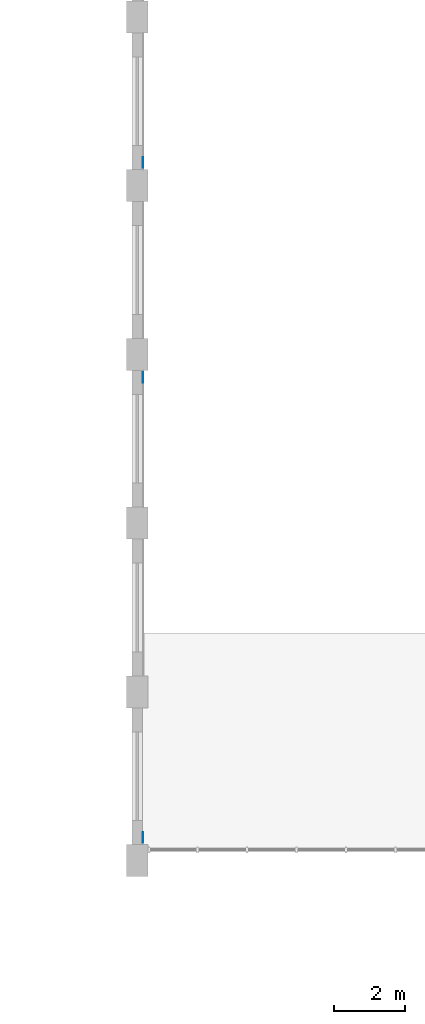
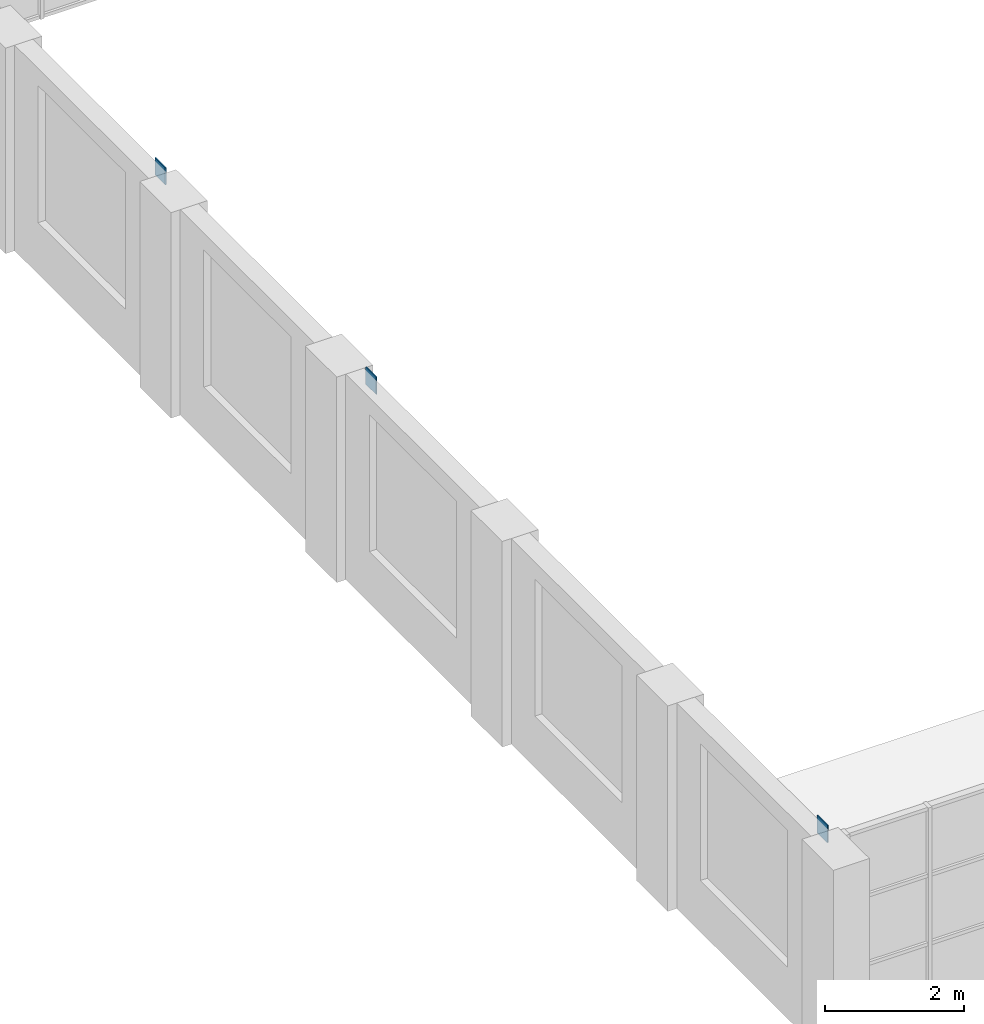
# One storey, part 48 of 70: 3 discrete accessories.
"""IFC4 building model written with IfcOpenShell, lengths in metres."""

from ifc_helpers import new_model, si_unit, direction, frame, origin, origin_2d, place, context, subcontext, project, spatial, rectangle, extrude, material, layer, layer_set, type_object, element, save


model = new_model("IFC4")

# Units and contexts
model_context = context("Model", 3, precision=1e-05, world=origin(), true_north=direction((0.0, 1.0)))
body_context = subcontext(model_context, "Body", "Model", "MODEL_VIEW")
ifc_project = project(units=[si_unit("LENGTHUNIT", "METRE"), si_unit("AREAUNIT", "SQUARE_METRE"), si_unit("VOLUMEUNIT", "CUBIC_METRE"), si_unit("PLANEANGLEUNIT", "RADIAN"), si_unit("MASSUNIT", "GRAM", prefix="KILO")], contexts=[model_context])

# Site, building, storey
site_placement = place(None, origin())
site = spatial("IfcSite", under=ifc_project, at=site_placement, CompositionType="ELEMENT")
building_placement = place(site_placement, origin())
building = spatial("IfcBuilding", under=site, at=building_placement, Name="Elbe Cascade School", CompositionType="ELEMENT")
storey_placement = place(building_placement, frame((0.0, 0.0, 8.10009765625)))
storey = spatial("IfcBuildingStorey", under=building, at=storey_placement, Name="L02", CompositionType="ELEMENT", Elevation=8.10009765625)

# Discrete accessories
ifc_material = material(Name="Steel S355J2", Category="steel")
ifc_layer = layer(ifc_material, 0.02001953125)
ifc_layer_set = layer_set([ifc_layer], Name="Steel S355J2")
discrete_accessory_type = type_object("IfcDiscreteAccessoryType", Name="Wall brace end plate", PredefinedType="BRACKET", material=ifc_layer_set)
for number, where, z_axis, x_axis, name in (
    (1, (8.159912109375, 41.64990234375, 3.35009765625), (0.0, 0.0, 1.0), (1.0, 0.0, 0.0), "Wall brace end plate AC3"),
    (2, (8.159912109375, 54.60009765625, 3.35009765625), (0.0, 0.0, 1.0), (1.0, 0.0, 0.0), "Wall brace end plate AC3"),
    (3, (8.159912109375, 60.64990234375, 3.35009765625), (0.0, 0.0, 1.0), (1.0, 0.0, 0.0), "Wall brace end plate AC3"),
):
    element("IfcDiscreteAccessory", number, at=place(storey_placement, frame(where, z_axis=z_axis, x_axis=x_axis)), inside=storey, type_object=discrete_accessory_type, Name=name, PredefinedType="BRACKET", context=body_context, shape_type="SweptSolid", body=[
        extrude(rectangle(XDim=0.02001953125, YDim=0.300048828125, at=origin_2d()), origin(), (0.0, 0.0, 1.0), 0.300048828125),
    ])

save(model, "model.ifc")
